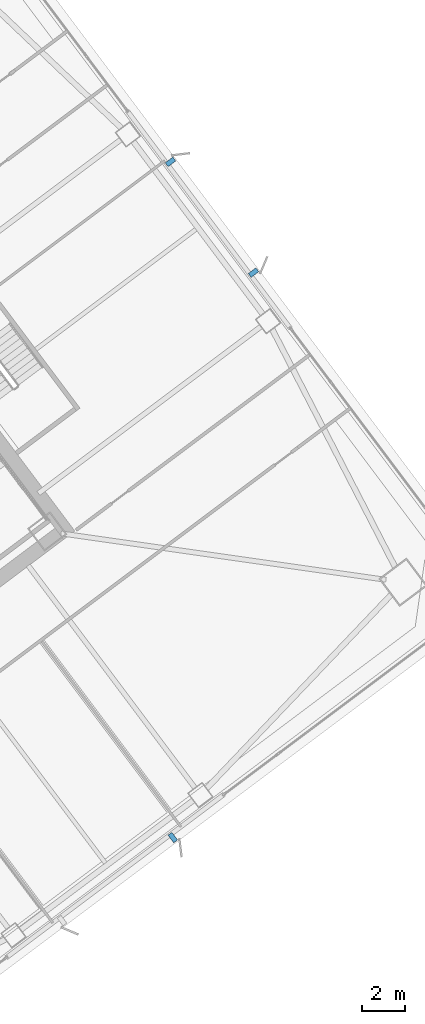
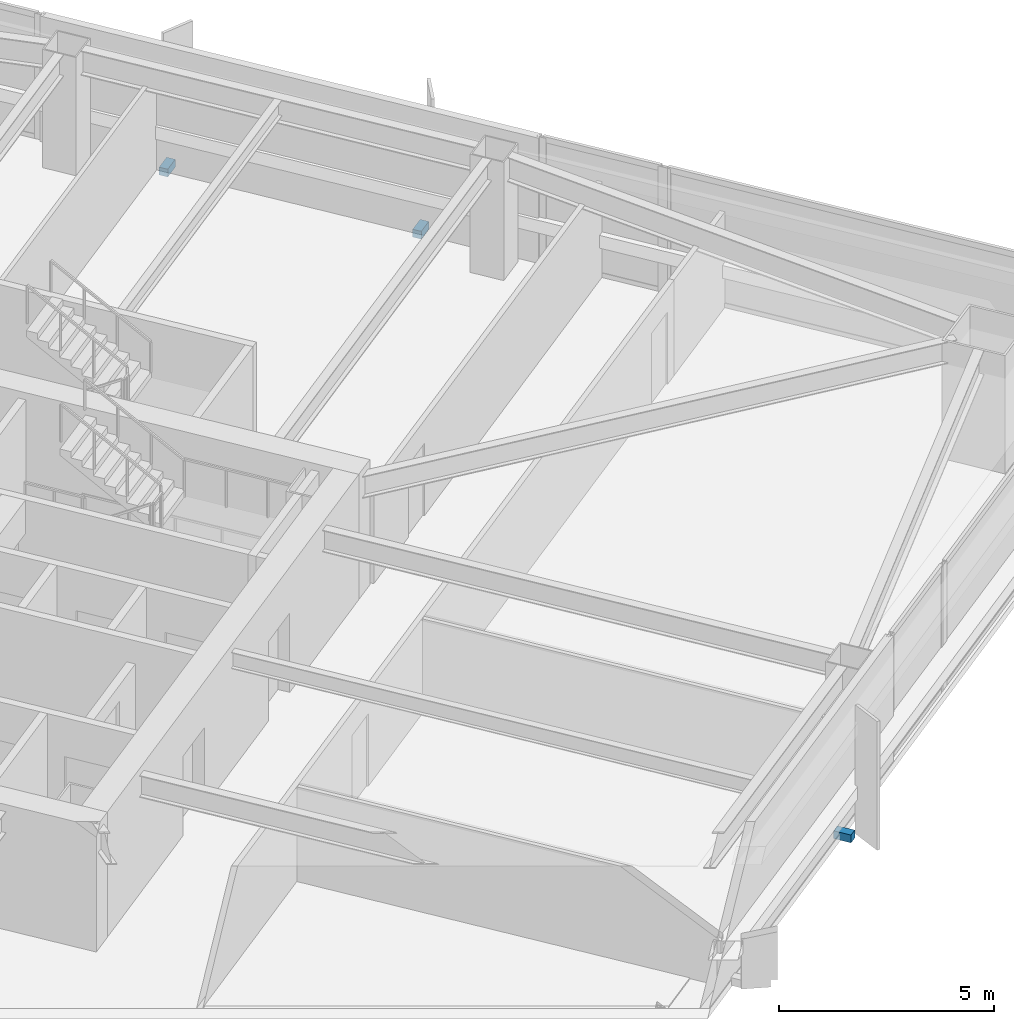
# One storey, part 50 of 62: 3 discrete accessories.
"""IFC4 building model written with IfcOpenShell, lengths in metres."""

from ifc_helpers import new_model, si_unit, direction, frame, origin, origin_2d, place, context, subcontext, project, spatial, rectangle, extrude, material, type_object, element, save


model = new_model("IFC4")

# Units and contexts
model_context = context("Model", 3, precision=1e-05, world=origin(), true_north=direction((0.0, 1.0)))
body_context = subcontext(model_context, "Body", "Model", "MODEL_VIEW")
ifc_project = project(units=[si_unit("LENGTHUNIT", "METRE"), si_unit("AREAUNIT", "SQUARE_METRE"), si_unit("VOLUMEUNIT", "CUBIC_METRE"), si_unit("PLANEANGLEUNIT", "RADIAN"), si_unit("MASSUNIT", "GRAM", prefix="KILO")], contexts=[model_context])

# Site, building, storey
site_placement = place(None, origin())
site = spatial("IfcSite", under=ifc_project, at=site_placement, CompositionType="ELEMENT")
building_placement = place(site_placement, origin())
building = spatial("IfcBuilding", under=site, at=building_placement, Name="Tashvorn Skyway Center", CompositionType="ELEMENT")
storey_placement = place(building_placement, frame((0.0, 0.0, 28.14990234375)))
storey = spatial("IfcBuildingStorey", under=building, at=storey_placement, Name="L06", CompositionType="ELEMENT", Elevation=28.14990234375)

# Discrete accessories
ifc_material = material(Name="Steel ASTM A572 Grade 50", Category="steel")
discrete_accessory_type = type_object("IfcDiscreteAccessoryType", Name="ACC-BRACKET-350", PredefinedType="BRACKET", material=ifc_material)
for number, where, z_axis, x_axis, name in (
    (1, (129.676025390625, 16.431884765625, -0.169921875), (0.0, 0.0, 1.0), (-0.799999996291, -0.600000004945, 0.0), "Tower 2 L06 Solar Screen Fixing Bracket S2"),
    (2, (133.407958984375, 42.555908203125, -0.169921875), (0.0, 0.0, 1.0), (0.600000004945, -0.799999996291, 0.0), "Tower 2 L06 Solar Screen Fixing Bracket E1"),
    (3, (129.568115234375, 47.676025390625, -0.169921875), (0.0, 0.0, 1.0), (0.600000004945, -0.799999996291, 0.0), "Tower 2 L06 Solar Screen Fixing Bracket E2"),
):
    element("IfcDiscreteAccessory", number, at=place(storey_placement, frame(where, z_axis=z_axis, x_axis=x_axis)), inside=storey, type_object=discrete_accessory_type, Name=name, PredefinedType="BRACKET", context=body_context, shape_type="SweptSolid", body=[
        extrude(rectangle(XDim=0.219970703125, YDim=0.43994140625, at=origin_2d()), origin(), (0.0, 0.0, 1.0), 0.219970703125),
    ])

save(model, "model.ifc")
